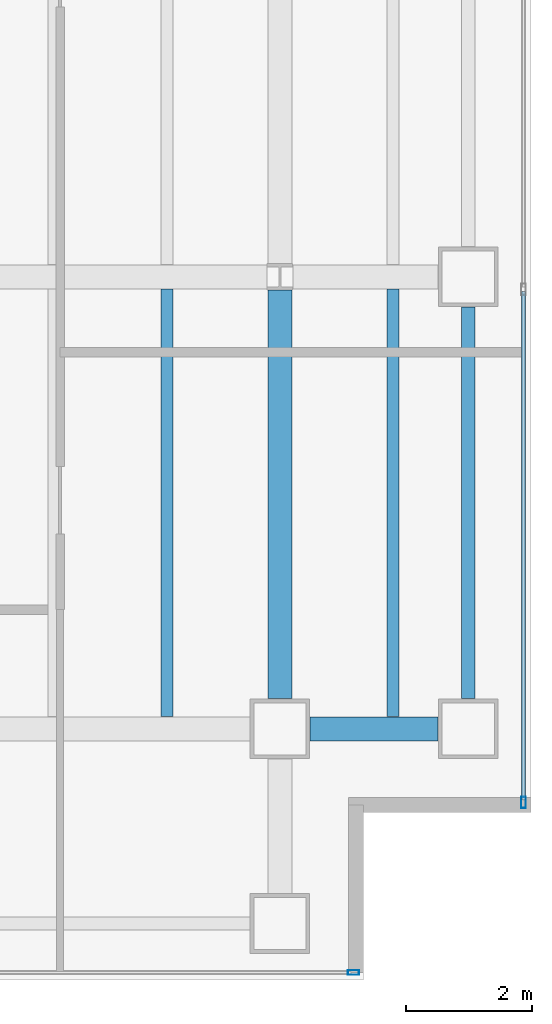
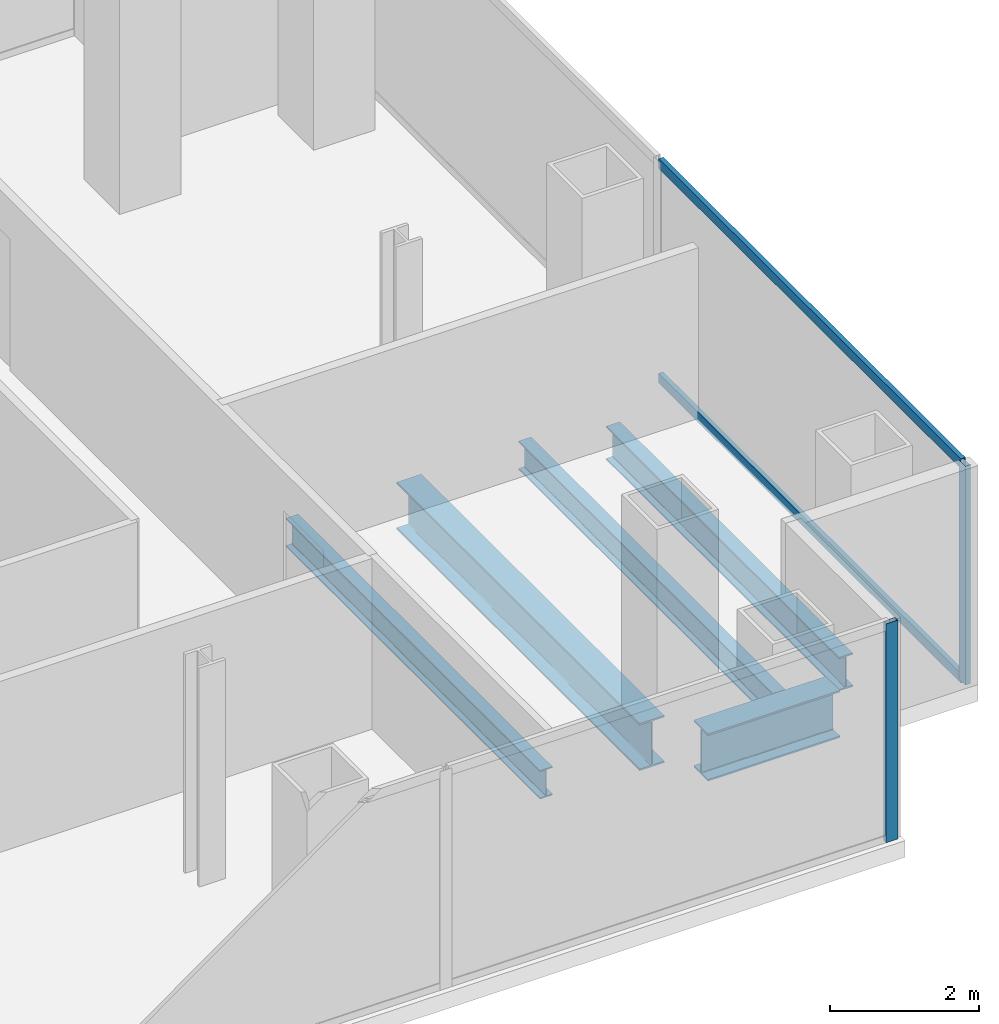
# One storey, part 11 of 23: 5 beams, 4 members, 2 elements without a shape of their own.
"""IFC4 building model written with IfcOpenShell, lengths in metres."""

from ifc_helpers import new_model, si_unit, direction, frame, origin, origin_2d, place, context, subcontext, project, spatial, hollow_rectangle, i_section, extrude, material, material_profile, profile_set, type_object, element, aggregate, save


model = new_model("IFC4")

# Units and contexts
model_context = context("Model", 3, precision=1e-05, world=origin(), true_north=direction((0.0, 1.0)))
body_context = subcontext(model_context, "Body", "Model", "MODEL_VIEW")
ifc_project = project(units=[si_unit("LENGTHUNIT", "METRE"), si_unit("AREAUNIT", "SQUARE_METRE"), si_unit("VOLUMEUNIT", "CUBIC_METRE"), si_unit("PLANEANGLEUNIT", "RADIAN"), si_unit("MASSUNIT", "GRAM", prefix="KILO")], contexts=[model_context])

# Site, building, storey
site_placement = place(None, origin())
site = spatial("IfcSite", under=ifc_project, at=site_placement, CompositionType="ELEMENT")
building_placement = place(site_placement, origin())
building = spatial("IfcBuilding", under=site, at=building_placement, Name="Cobrela Telecom Tower", CompositionType="ELEMENT")
storey_placement = place(building_placement, frame((0.0, 0.0, 102.199951171875)))
storey = spatial("IfcBuildingStorey", under=building, at=storey_placement, Name="L25", CompositionType="ELEMENT", Elevation=102.199951171875)

# Beams
ifc_material_1 = material(Name="Steel ASTM A992 Grade 50", Category="steel")
ifc_material_profile_1 = material_profile(ifc_material_1, i_section(OverallWidth=0.381103515625, OverallDepth=0.77197265625, WebThickness=0.0166015625, FlangeThickness=0.027099609375, FilletRadius=0.01904296875, at=origin_2d()), Name="W30X173")
ifc_profile_set_1 = profile_set([ifc_material_profile_1], Name="Steel ASTM A992 Grade 50")
beam_type_1 = type_object("IfcBeamType", Name="BM-GIRD-04", PredefinedType="USERDEFINED", material=ifc_profile_set_1)
beam_1_placement = place(storey_placement, frame((43.679931640625, 7.199951171875, -0.656005859375), z_axis=(1.0, 0.0, 0.0), x_axis=(0.0, 1.0, 0.0)))
element("IfcBeam", 1, at=beam_1_placement, inside=storey, type_object=beam_type_1, Name="L25 Primary Girder X12", ObjectType="GIRDER", PredefinedType="USERDEFINED", context=body_context, shape_type="SweptSolid", body=[
    extrude(i_section(OverallWidth=0.381103515625, OverallDepth=0.77197265625, WebThickness=0.0166015625, FlangeThickness=0.027099609375, FilletRadius=0.01904296875, at=origin_2d()), origin(), (0.0, 0.0, 1.0), 2.0400390625),
])
beam_2_placement = place(storey_placement, frame((43.199951171875, 7.679931640625, -0.656005859375), z_axis=(0.0, 1.0, 0.0), x_axis=(-1.0, 0.0, 0.0)))
element("IfcBeam", 2, at=beam_2_placement, inside=storey, type_object=beam_type_1, Name="L25 Primary Girder Y53", ObjectType="GIRDER", PredefinedType="USERDEFINED", context=body_context, shape_type="SweptSolid", body=[
    extrude(i_section(OverallWidth=0.381103515625, OverallDepth=0.77197265625, WebThickness=0.0166015625, FlangeThickness=0.027099609375, FilletRadius=0.01904296875, at=origin_2d()), origin(), (0.0, 0.0, 1.0), 6.510498046875),
])
ifc_material_profile_2 = material_profile(ifc_material_1, i_section(OverallWidth=0.193115234375, OverallDepth=0.467041015625, WebThickness=0.011474609375, FlangeThickness=0.01904296875, FilletRadius=0.012939453125, at=origin_2d()), Name="W18X65")
ifc_profile_set_2 = profile_set([ifc_material_profile_2], Name="Steel ASTM A992 Grade 50")
beam_type_2 = type_object("IfcBeamType", Name="BM-JOIST-03", PredefinedType="JOIST", material=ifc_profile_set_2)
for number, where, z_axis, x_axis, name in (
    (3, (41.39990234375, 7.3955078125, -0.50341796875), (0.0, 1.0, 0.0), (-1.0, 0.0, 0.0), "L25 Secondary Composite Floor Beam J37"),
    (4, (45.0, 7.3955078125, -0.50341796875), (0.0, 1.0, 0.0), (-1.0, 0.0, 0.0), "L25 Secondary Composite Floor Beam J39"),
):
    element("IfcBeam", number, at=place(storey_placement, frame(where, z_axis=z_axis, x_axis=x_axis)), inside=storey, type_object=beam_type_2, Name=name, PredefinedType="JOIST", context=body_context, shape_type="SweptSolid", body=[
        extrude(i_section(OverallWidth=0.193115234375, OverallDepth=0.467041015625, WebThickness=0.011474609375, FlangeThickness=0.01904296875, FilletRadius=0.012939453125, at=origin_2d()), origin(), (0.0, 0.0, 1.0), 6.80908203125),
    ])
ifc_material_profile_3 = material_profile(ifc_material_1, i_section(OverallWidth=0.212890625, OverallDepth=0.549072265625, WebThickness=0.0146484375, FlangeThickness=0.023681640625, FilletRadius=0.013916015625, at=origin_2d()), Name="W21X93")
ifc_profile_set_3 = profile_set([ifc_material_profile_3], Name="Steel ASTM A992 Grade 50")
beam_type_3 = type_object("IfcBeamType", Name="BM-SPAND-03", PredefinedType="SPANDREL", material=ifc_profile_set_3)
beam_3_placement = place(storey_placement, frame((46.199951171875, 7.679931640625, -0.54443359375), z_axis=(0.0, 1.0, 0.0), x_axis=(-1.0, 0.0, 0.0)))
element("IfcBeam", 5, at=beam_3_placement, inside=storey, type_object=beam_type_3, Name="L25 Perimeter Spandrel Y55", PredefinedType="SPANDREL", context=body_context, shape_type="SweptSolid", body=[
    extrude(i_section(OverallWidth=0.212890625, OverallDepth=0.549072265625, WebThickness=0.0146484375, FlangeThickness=0.023681640625, FilletRadius=0.013916015625, at=origin_2d()), origin(), (0.0, 0.0, 1.0), 6.239990234375),
])

# Curtain wall, member
ifc_material_2 = material(Name="Anodized Bronze Aluminium 6063-T6", Category="aluminium")
curtain_wall_type = type_object("IfcCurtainWallType", Name="CW-SYS-TEL", PredefinedType="USERDEFINED", material=ifc_material_2)
curtain_wall_1_placement = place(storey_placement, origin())
curtain_wall_1 = element("IfcCurtainWall", 6, at=curtain_wall_1_placement, inside=storey, type_object=curtain_wall_type, Name="L25 Unitised Bronze Curtain Wall 14", ObjectType="UNITISED CURTAIN WALL", PredefinedType="USERDEFINED")
ifc_material_profile_4 = material_profile(ifc_material_2, hollow_rectangle(XDim=0.074951171875, YDim=0.179931640625, WallThickness=0.00390625, at=origin_2d()), Name="ALU 75x180x4")
ifc_profile_set_4 = profile_set([ifc_material_profile_4], Name="Anodized Bronze Aluminium 6063-T6")
member_type_1 = type_object("IfcMemberType", Name="CW-SYS-TEL-MUL", PredefinedType="MULLION", material=ifc_profile_set_4)
member_1_placement = place(storey_placement, frame((47.080078125, 6.027587890625, 0.0), z_axis=(0.0, 0.0, 1.0), x_axis=(1.0, 0.0, 0.0)))
member_1 = element("IfcMember", 7, at=member_1_placement, type_object=member_type_1, Name="CW-TEL mullion 3", PredefinedType="MULLION", context=body_context, shape_type="SweptSolid", body=[
    extrude(hollow_rectangle(XDim=0.074951171875, YDim=0.179931640625, WallThickness=0.00390625, at=origin_2d()), origin(), (0.0, 0.0, 1.0), 3.580078125),
])

curtain_wall_2_placement = place(storey_placement, origin())
curtain_wall_2 = element("IfcCurtainWall", 8, at=curtain_wall_2_placement, inside=storey, type_object=curtain_wall_type, Name="L25 Unitised Bronze Curtain Wall 17", ObjectType="UNITISED CURTAIN WALL", PredefinedType="USERDEFINED")
member_2_placement = place(storey_placement, frame((44.37255859375, 3.320068359375, 0.0), z_axis=(0.0, 0.0, 1.0), x_axis=(0.0, -1.0, 0.0)))
member_2 = element("IfcMember", 9, at=member_2_placement, type_object=member_type_1, Name="CW-TEL mullion 1", PredefinedType="MULLION", context=body_context, shape_type="SweptSolid", body=[
    extrude(hollow_rectangle(XDim=0.074951171875, YDim=0.179931640625, WallThickness=0.00390625, at=origin_2d()), origin(), (0.0, 0.0, 1.0), 3.580078125),
])
aggregate(curtain_wall_2, [member_2])

# Member
ifc_material_profile_5 = material_profile(ifc_material_2, hollow_rectangle(XDim=0.070068359375, YDim=0.159912109375, WallThickness=0.00390625, at=origin_2d()), Name="ALU 70x160x4")
ifc_profile_set_5 = profile_set([ifc_material_profile_5], Name="Anodized Bronze Aluminium 6063-T6")
member_type_2 = type_object("IfcMemberType", Name="CW-SYS-TEL-TRN", PredefinedType="USERDEFINED", material=ifc_profile_set_5)
member_3_placement = place(storey_placement, frame((47.080078125, 14.16259765625, 0.03515625), z_axis=(0.0, -1.0, 0.0), x_axis=(1.0, 0.0, 0.0)))
member_3 = element("IfcMember", 10, at=member_3_placement, type_object=member_type_2, Name="CW-TEL transom 2.1", ObjectType="TRANSOM", PredefinedType="USERDEFINED", context=body_context, shape_type="SweptSolid", body=[
    extrude(hollow_rectangle(XDim=0.070068359375, YDim=0.159912109375, WallThickness=0.00390625, at=origin_2d()), origin(), (0.0, 0.0, 1.0), 8.09765625),
])

member_4_placement = place(storey_placement, frame((47.080078125, 14.16259765625, 3.545166015625), z_axis=(0.0, -1.0, 0.0), x_axis=(1.0, 0.0, 0.0)))
member_4 = element("IfcMember", 11, at=member_4_placement, type_object=member_type_2, Name="CW-TEL transom 2.2", ObjectType="TRANSOM", PredefinedType="USERDEFINED", context=body_context, shape_type="SweptSolid", body=[
    extrude(hollow_rectangle(XDim=0.070068359375, YDim=0.159912109375, WallThickness=0.00390625, at=origin_2d()), origin(), (0.0, 0.0, 1.0), 8.09765625),
])

aggregate(curtain_wall_1, [member_1, member_3, member_4])

save(model, "model.ifc")
